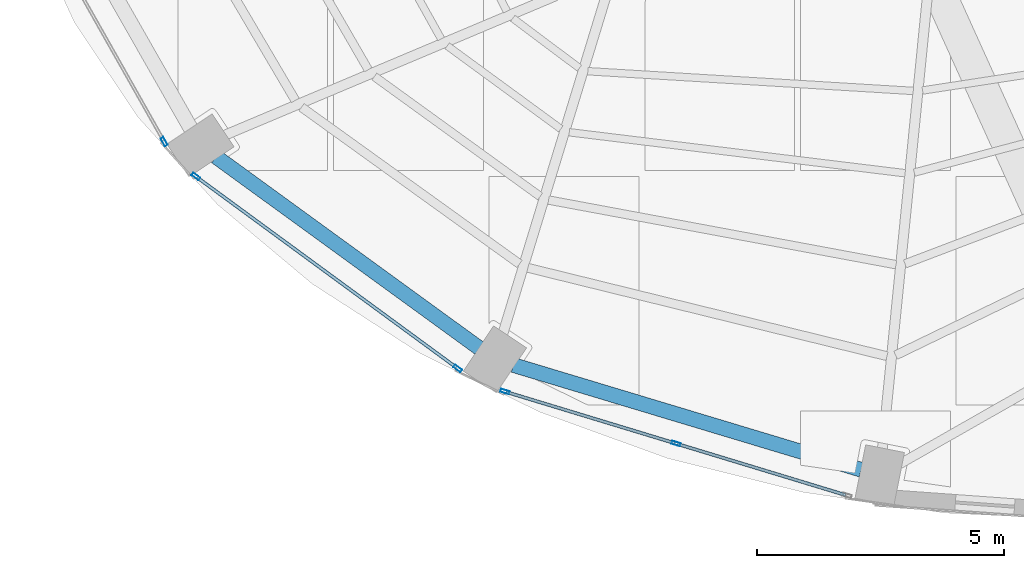
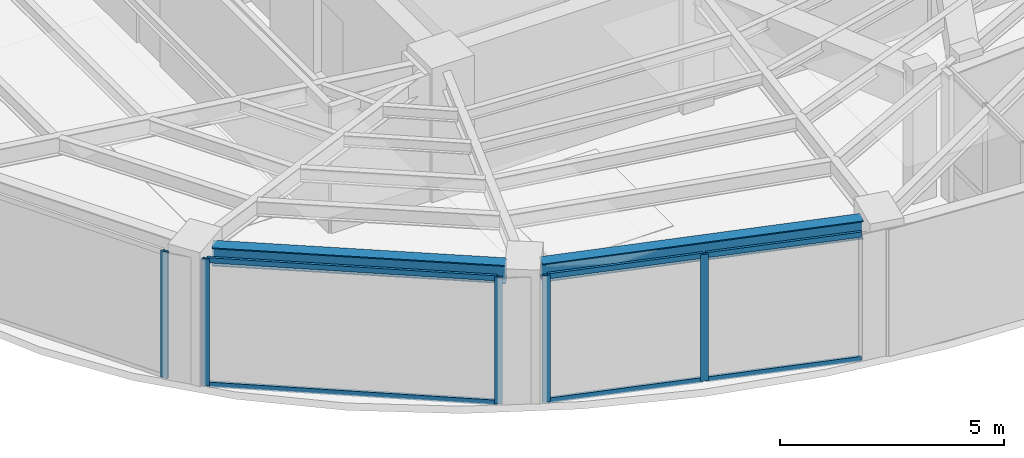
# One storey, part 2 of 22: 11 members, 2 beams, 3 elements without a shape of their own.
"""IFC4 building model written with IfcOpenShell, lengths in metres."""

from ifc_helpers import new_model, si_unit, direction, frame, origin, origin_2d, place, context, subcontext, project, spatial, hollow_rectangle, i_section, extrude, material, layer, layer_set, material_profile, profile_set, type_object, element, aggregate, save


model = new_model("IFC4")

# Units and contexts
model_context = context("Model", 3, precision=1e-05, world=origin(), true_north=direction((0.0, 1.0)))
body_context = subcontext(model_context, "Body", "Model", "MODEL_VIEW")
ifc_project = project(units=[si_unit("LENGTHUNIT", "METRE"), si_unit("AREAUNIT", "SQUARE_METRE"), si_unit("VOLUMEUNIT", "CUBIC_METRE"), si_unit("PLANEANGLEUNIT", "RADIAN"), si_unit("MASSUNIT", "GRAM", prefix="KILO")], contexts=[model_context])

# Site, building, storey
site_placement = place(None, origin())
site = spatial("IfcSite", under=ifc_project, at=site_placement, CompositionType="ELEMENT")
building_placement = place(site_placement, origin())
building = spatial("IfcBuilding", under=site, at=building_placement, Name="Lazwardi Medical Tower", CompositionType="ELEMENT")
storey_placement = place(building_placement, frame((0.0, 0.0, 251.3759765625)))
storey = spatial("IfcBuildingStorey", under=building, at=storey_placement, Name="L65", CompositionType="ELEMENT", Elevation=251.3759765625)

# Beams
ifc_material_1 = material(Name="Steel S355", Category="steel")
ifc_material_profile_1 = material_profile(ifc_material_1, i_section(OverallWidth=0.300048828125, OverallDepth=0.5, WebThickness=0.014404296875, FlangeThickness=0.028076171875, at=origin_2d()), Name="HEB 500")
ifc_profile_set_1 = profile_set([ifc_material_profile_1], Name="Steel S355")
beam_type = type_object("IfcBeamType", Name="BM-RB-Z4", PredefinedType="BEAM", material=ifc_profile_set_1)
beam_1_placement = place(storey_placement, frame((18.355712890625, 16.648193359375, 3.197998046875), z_axis=(0.808889916254, -0.587960120571, 0.0), x_axis=(0.587960120571, 0.808889916254, 0.0)))
element("IfcBeam", 1, at=beam_1_placement, inside=storey, type_object=beam_type, Name="Ring beam RB-05 B14 L65", PredefinedType="BEAM", context=body_context, shape_type="SweptSolid", body=[
    extrude(i_section(OverallWidth=0.300048828125, OverallDepth=0.5, WebThickness=0.014404296875, FlangeThickness=0.028076171875, at=origin_2d()), origin(), (0.0, 0.0, 1.0), 6.587158203125),
])
beam_2_placement = place(storey_placement, frame((24.373046875, 12.43359375, 3.197998046875), z_axis=(0.957544311906, -0.288286126506, 0.0), x_axis=(0.288286126506, 0.957544311906, 0.0)))
element("IfcBeam", 2, at=beam_2_placement, inside=storey, type_object=beam_type, Name="Ring beam RB-05 B15 L65", PredefinedType="BEAM", context=body_context, shape_type="SweptSolid", body=[
    extrude(i_section(OverallWidth=0.300048828125, OverallDepth=0.5, WebThickness=0.014404296875, FlangeThickness=0.028076171875, at=origin_2d()), origin(), (0.0, 0.0, 1.0), 7.3515625),
])

# Curtain wall, member
ifc_material_2 = material(Name="Anodised bronze aluminium and solar control glazing", Category="aluminium")
ifc_layer = layer(ifc_material_2, 0.18994140625)
ifc_layer_set = layer_set([ifc_layer], Name="Anodised bronze aluminium and solar control glazing")
curtain_wall_type = type_object("IfcCurtainWallType", Name="CW-SYS-04", PredefinedType="NOTDEFINED", material=ifc_layer_set)
curtain_wall_1_placement = place(storey_placement, origin())
curtain_wall_1 = element("IfcCurtainWall", 3, at=curtain_wall_1_placement, inside=storey, type_object=curtain_wall_type, Name="L65 Unitised bronze curtain wall CW-04", PredefinedType="NOTDEFINED")
ifc_material_3 = material(Name="Anodised bronze aluminium", Category="aluminium")
ifc_material_profile_2 = material_profile(ifc_material_3, hollow_rectangle(XDim=0.06494140625, YDim=0.179931640625, WallThickness=0.00390625, at=origin_2d()), Name="ALU-MULLION 180x65x4")
ifc_profile_set_2 = profile_set([ifc_material_profile_2], Name="Anodised bronze aluminium")
member_type_1 = type_object("IfcMemberType", Name="CW-MUL-03", PredefinedType="MULLION", material=ifc_profile_set_2)
member_1_placement = place(storey_placement, frame((17.3056640625, 16.95458984375, 0.0), z_axis=(0.0, 0.0, 1.0), x_axis=(0.870651436011, 0.491900474661, 0.0)))
member_1 = element("IfcMember", 4, at=member_1_placement, type_object=member_type_1, Name="CW-04 mullion 2", PredefinedType="MULLION", context=body_context, shape_type="SweptSolid", body=[
    extrude(hollow_rectangle(XDim=0.06494140625, YDim=0.179931640625, WallThickness=0.00390625, at=origin_2d()), origin(), (0.0, 0.0, 1.0), 3.447998046875),
])
aggregate(curtain_wall_1, [member_1])

# Curtain wall, members
curtain_wall_2_placement = place(storey_placement, origin())
curtain_wall_2 = element("IfcCurtainWall", 5, at=curtain_wall_2_placement, inside=storey, type_object=curtain_wall_type, Name="L65 Unitised bronze curtain wall CW-04", PredefinedType="NOTDEFINED")
member_2_placement = place(storey_placement, frame((17.947998046875, 16.248291015625, 0.0), z_axis=(0.0, 0.0, 1.0), x_axis=(0.591268230971, 0.806474971121, 0.0)))
member_2 = element("IfcMember", 6, at=member_2_placement, type_object=member_type_1, Name="CW-04 mullion 1", PredefinedType="MULLION", context=body_context, shape_type="SweptSolid", body=[
    extrude(hollow_rectangle(XDim=0.06494140625, YDim=0.179931640625, WallThickness=0.00390625, at=origin_2d()), origin(), (0.0, 0.0, 1.0), 3.447998046875),
])
member_3_placement = place(storey_placement, frame((23.24462890625, 12.365234375, 0.0), z_axis=(0.0, 0.0, 1.0), x_axis=(0.591268230971, 0.806474971121, 0.0)))
member_3 = element("IfcMember", 7, at=member_3_placement, type_object=member_type_1, Name="CW-04 mullion 2", PredefinedType="MULLION", context=body_context, shape_type="SweptSolid", body=[
    extrude(hollow_rectangle(XDim=0.06494140625, YDim=0.179931640625, WallThickness=0.00390625, at=origin_2d()), origin(), (0.0, 0.0, 1.0), 3.447998046875),
])

curtain_wall_3_placement = place(storey_placement, origin())
curtain_wall_3 = element("IfcCurtainWall", 8, at=curtain_wall_3_placement, inside=storey, type_object=curtain_wall_type, Name="L65 Unitised bronze curtain wall CW-04", PredefinedType="NOTDEFINED")
member_4_placement = place(storey_placement, frame((24.2001953125, 11.896484375, 0.0), z_axis=(0.0, 0.0, 1.0), x_axis=(0.290581889515, 0.956850126972, 0.0)))
member_4 = element("IfcMember", 9, at=member_4_placement, type_object=member_type_1, Name="CW-04 mullion 1", PredefinedType="MULLION", context=body_context, shape_type="SweptSolid", body=[
    extrude(hollow_rectangle(XDim=0.06494140625, YDim=0.179931640625, WallThickness=0.00390625, at=origin_2d()), origin(), (0.0, 0.0, 1.0), 3.447998046875),
])
member_5_placement = place(storey_placement, frame((27.66357421875, 10.8447265625, 0.0), z_axis=(0.0, 0.0, 1.0), x_axis=(0.290581889515, 0.956850126972, 0.0)))
member_5 = element("IfcMember", 10, at=member_5_placement, type_object=member_type_1, Name="CW-04 mullion 2", PredefinedType="MULLION", context=body_context, shape_type="SweptSolid", body=[
    extrude(hollow_rectangle(XDim=0.06494140625, YDim=0.179931640625, WallThickness=0.00390625, at=origin_2d()), origin(), (0.0, 0.0, 1.0), 3.447998046875),
])

# Member
ifc_material_profile_3 = material_profile(ifc_material_3, hollow_rectangle(XDim=0.06494140625, YDim=0.139892578125, WallThickness=0.00341796875, at=origin_2d()), Name="ALU-TRANSOM 140x65x3.5")
ifc_profile_set_3 = profile_set([ifc_material_profile_3], Name="Anodised bronze aluminium")
member_type_2 = type_object("IfcMemberType", Name="CW-TRN-03", PredefinedType="USERDEFINED", material=ifc_profile_set_3)
member_6_placement = place(storey_placement, frame((17.97412109375, 16.229248046875, 0.032470703125), z_axis=(0.806471831148, -0.591272513791, 0.0), x_axis=(0.591272513791, 0.806471831148, 0.0)))
member_6 = element("IfcMember", 11, at=member_6_placement, type_object=member_type_2, Name="CW-04 transom 1.1", ObjectType="TRANSOM", PredefinedType="USERDEFINED", context=body_context, shape_type="SweptSolid", body=[
    extrude(hollow_rectangle(XDim=0.06494140625, YDim=0.139892578125, WallThickness=0.00341796875, at=origin_2d()), origin(), (0.0, 0.0, 1.0), 6.5029296875),
])

member_7_placement = place(storey_placement, frame((17.97412109375, 16.229248046875, 3.41552734375), z_axis=(0.806471831148, -0.591272513791, 0.0), x_axis=(0.591272513791, 0.806471831148, 0.0)))
member_7 = element("IfcMember", 12, at=member_7_placement, type_object=member_type_2, Name="CW-04 transom 1.2", ObjectType="TRANSOM", PredefinedType="USERDEFINED", context=body_context, shape_type="SweptSolid", body=[
    extrude(hollow_rectangle(XDim=0.06494140625, YDim=0.139892578125, WallThickness=0.00341796875, at=origin_2d()), origin(), (0.0, 0.0, 1.0), 6.5029296875),
])

aggregate(curtain_wall_2, [member_2, member_3, member_6, member_7])

member_8_placement = place(storey_placement, frame((24.2314453125, 11.886962890625, 0.032470703125), z_axis=(0.956862505902, -0.290541124109, 0.0), x_axis=(0.290541124109, 0.956862505902, 0.0)))
member_8 = element("IfcMember", 13, at=member_8_placement, type_object=member_type_2, Name="CW-04 transom 1.1", ObjectType="TRANSOM", PredefinedType="USERDEFINED", context=body_context, shape_type="SweptSolid", body=[
    extrude(hollow_rectangle(XDim=0.06494140625, YDim=0.139892578125, WallThickness=0.00341796875, at=origin_2d()), origin(), (0.0, 0.0, 1.0), 3.554443359375),
])

member_9_placement = place(storey_placement, frame((24.2314453125, 11.886962890625, 3.41552734375), z_axis=(0.956862505902, -0.290541124109, 0.0), x_axis=(0.290541124109, 0.956862505902, 0.0)))
member_9 = element("IfcMember", 14, at=member_9_placement, type_object=member_type_2, Name="CW-04 transom 1.2", ObjectType="TRANSOM", PredefinedType="USERDEFINED", context=body_context, shape_type="SweptSolid", body=[
    extrude(hollow_rectangle(XDim=0.06494140625, YDim=0.139892578125, WallThickness=0.00341796875, at=origin_2d()), origin(), (0.0, 0.0, 1.0), 3.554443359375),
])

member_10_placement = place(storey_placement, frame((27.694580078125, 10.835205078125, 0.032470703125), z_axis=(0.956862505902, -0.290541124109, 0.0), x_axis=(0.290541124109, 0.956862505902, 0.0)))
member_10 = element("IfcMember", 15, at=member_10_placement, type_object=member_type_2, Name="CW-04 transom 2.1", ObjectType="TRANSOM", PredefinedType="USERDEFINED", context=body_context, shape_type="SweptSolid", body=[
    extrude(hollow_rectangle(XDim=0.06494140625, YDim=0.139892578125, WallThickness=0.00341796875, at=origin_2d()), origin(), (0.0, 0.0, 1.0), 3.554443359375),
])

member_11_placement = place(storey_placement, frame((27.694580078125, 10.835205078125, 3.41552734375), z_axis=(0.956862505902, -0.290541124109, 0.0), x_axis=(0.290541124109, 0.956862505902, 0.0)))
member_11 = element("IfcMember", 16, at=member_11_placement, type_object=member_type_2, Name="CW-04 transom 2.2", ObjectType="TRANSOM", PredefinedType="USERDEFINED", context=body_context, shape_type="SweptSolid", body=[
    extrude(hollow_rectangle(XDim=0.06494140625, YDim=0.139892578125, WallThickness=0.00341796875, at=origin_2d()), origin(), (0.0, 0.0, 1.0), 3.554443359375),
])

aggregate(curtain_wall_3, [member_4, member_5, member_8, member_9, member_10, member_11])

save(model, "model.ifc")
